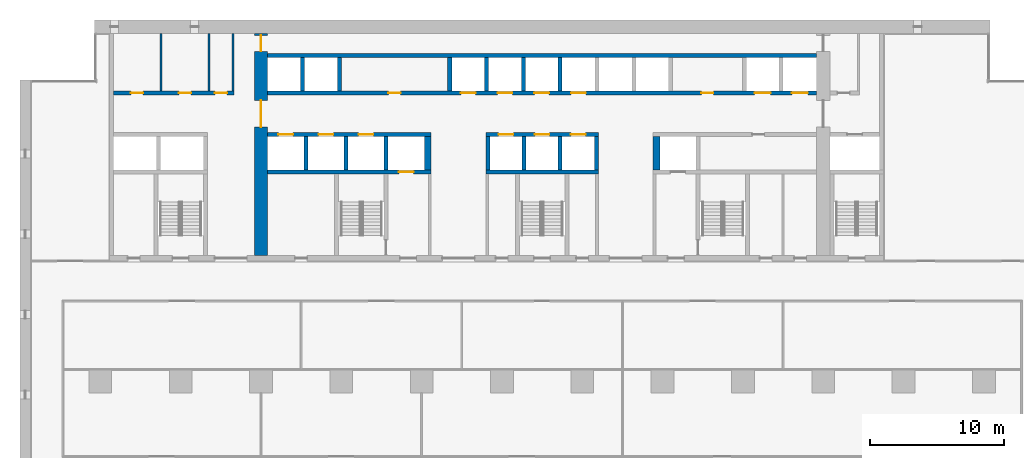
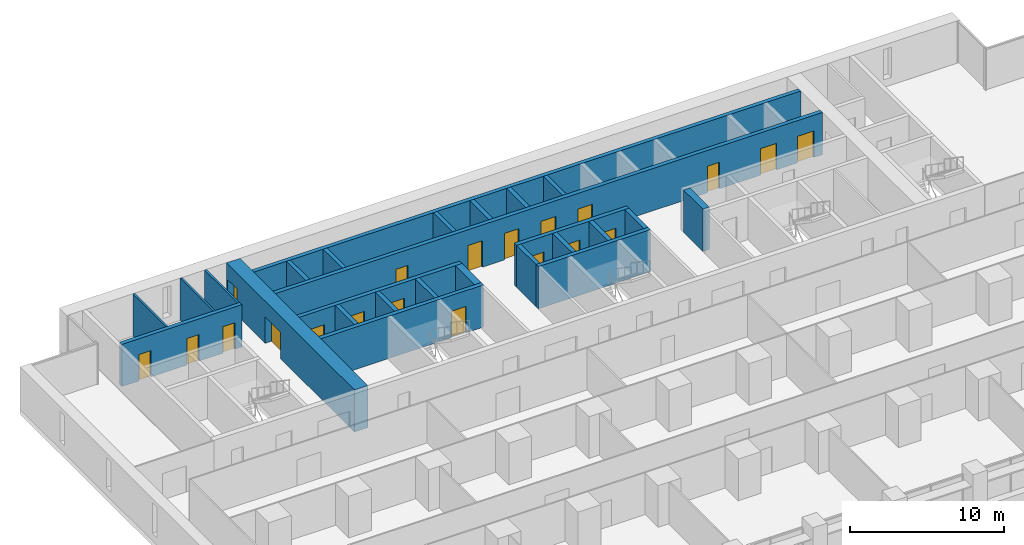
# One storey, part 11 of 18: 26 walls, 20 doors, 20 openings.
"""IFC4 building model written with IfcOpenShell, lengths in metres."""

from ifc_helpers import new_model, si_unit, direction, frame, frame_2d, origin, place, context, subcontext, project, spatial, rectangle, extrude, material, layer, layer_set, type_object, element, fill, save


model = new_model("IFC4")

# Units and contexts
model_context = context("Model", 3, precision=1e-05, world=origin(), true_north=direction((0.0, 1.0)))
body_context = subcontext(model_context, "Body", "Model", "MODEL_VIEW")
ifc_project = project(units=[si_unit("LENGTHUNIT", "METRE"), si_unit("AREAUNIT", "SQUARE_METRE"), si_unit("VOLUMEUNIT", "CUBIC_METRE"), si_unit("PLANEANGLEUNIT", "RADIAN"), si_unit("MASSUNIT", "GRAM", prefix="KILO")], contexts=[model_context])

# Site, building, storey
site_placement = place(None, origin())
site = spatial("IfcSite", under=ifc_project, at=site_placement, CompositionType="ELEMENT")
building_placement = place(site_placement, origin())
building = spatial("IfcBuilding", under=site, at=building_placement, Name="Calvaro Tower", CompositionType="ELEMENT")
storey_placement = place(building_placement, frame((0.0, 0.0, 52.5)))
storey = spatial("IfcBuildingStorey", under=building, at=storey_placement, Name="L12", CompositionType="ELEMENT", Elevation=52.5)

# Walls
ifc_material_1 = material(Name="Blockwork partition", Category="masonry")
ifc_layer_1 = layer(ifc_material_1, 0.14990234375)
ifc_layer_set_1 = layer_set([ifc_layer_1], Name="Blockwork partition")
wall_type_1 = type_object("IfcWallType", Name="Core partition 150 EI 60", PredefinedType="PARTITIONING", material=ifc_layer_set_1)
for number, where, z_axis, x_axis, name in (
    (1, (10.550048828125, 40.699951171875, 0.0), (0.0, 0.0, 1.0), (0.0, 1.0, 0.0), "Core partition"),
    (2, (14.10009765625, 40.699951171875, 0.0), (0.0, 0.0, 1.0), (0.0, 1.0, 0.0), "Core partition"),
):
    element("IfcWall", number, at=place(storey_placement, frame(where, z_axis=z_axis, x_axis=x_axis)), inside=storey, type_object=wall_type_1, Name=name, PredefinedType="PARTITIONING", context=body_context, shape_type="SweptSolid", body=[
        extrude(rectangle(XDim=4.300048828125, YDim=0.14990234375, at=frame_2d((2.14990234375, 0.0))), origin(), (0.0, 0.0, 1.0), 3.35009765625),
    ])
ifc_material_2 = material(Name="Blockwork partition", Category="masonry")
ifc_layer_2 = layer(ifc_material_2, 0.14990234375)
ifc_layer_set_2 = layer_set([ifc_layer_2], Name="Blockwork partition")
wall_type_2 = type_object("IfcWallType", Name="Core partition 150 REI 120", PredefinedType="PARTITIONING", material=ifc_layer_set_2)
wall_1_placement = place(storey_placement, frame((15.925048828125, 40.699951171875, 0.0), z_axis=(0.0, 0.0, 1.0), x_axis=(0.0, 1.0, 0.0)))
element("IfcWall", 3, at=wall_1_placement, inside=storey, type_object=wall_type_2, Name="Core partition", PredefinedType="PARTITIONING", context=body_context, shape_type="SweptSolid", body=[
    extrude(rectangle(XDim=4.300048828125, YDim=0.14990234375, at=frame_2d((2.14990234375, 0.0))), origin(), (0.0, 0.0, 1.0), 3.35009765625),
])

# Wall, openings, doors
ifc_material_3 = material(Name="Blockwork partition", Category="masonry")
ifc_layer_3 = layer(ifc_material_3, 0.300048828125)
ifc_layer_set_3 = layer_set([ifc_layer_3], Name="Blockwork partition")
wall_type_3 = type_object("IfcWallType", Name="Core partition 300 REI 120", PredefinedType="PARTITIONING", material=ifc_layer_set_3)
wall_2_placement = place(storey_placement, frame((7.0, 40.550048828125, 0.0), z_axis=(0.0, 0.0, 1.0), x_axis=(1.0, 0.0, 0.0)))
wall_2 = element("IfcWall", 4, at=wall_2_placement, inside=storey, type_object=wall_type_3, Name="Core partition", PredefinedType="PARTITIONING", context=body_context, shape_type="SweptSolid", body=[
    extrude(rectangle(XDim=9.0, YDim=0.300048828125, at=frame_2d((4.5, 0.0))), origin(), (0.0, 0.0, 1.0), 3.35009765625),
])
opening_1_placement = place(wall_2_placement, frame((1.28759765625, 0.0, 0.0)))
opening_1 = element("IfcOpeningElement", 5, at=opening_1_placement, cuts=wall_2, Name="Opening RD9", PredefinedType="OPENING", context=body_context, shape_type="SweptSolid", body=[
    extrude(rectangle(XDim=0.89990234375, YDim=2.10009765625, at=frame_2d((0.449951171875, 1.050048828125))), frame((0.0, 0.159912109375, 0.0), z_axis=(0.0, -1.0, 0.0), x_axis=(1.0, 0.0, 0.0)), (0.0, 0.0, 1.0), 0.320068359375),
])
opening_2_placement = place(wall_2_placement, frame((4.875, 0.0, 0.0)))
opening_2 = element("IfcOpeningElement", 6, at=opening_2_placement, cuts=wall_2, Name="Opening RD9", PredefinedType="OPENING", context=body_context, shape_type="SweptSolid", body=[
    extrude(rectangle(XDim=0.89990234375, YDim=2.10009765625, at=frame_2d((0.449951171875, 1.050048828125))), frame((0.0, 0.159912109375, 0.0), z_axis=(0.0, -1.0, 0.0), x_axis=(1.0, 0.0, 0.0)), (0.0, 0.0, 1.0), 0.320068359375),
])
opening_3_placement = place(wall_2_placement, frame((7.5625, 0.0, 0.0)))
opening_3 = element("IfcOpeningElement", 7, at=opening_3_placement, cuts=wall_2, Name="Opening RD9", PredefinedType="OPENING", context=body_context, shape_type="SweptSolid", body=[
    extrude(rectangle(XDim=0.89990234375, YDim=2.10009765625, at=frame_2d((0.449951171875, 1.050048828125))), frame((0.0, 0.159912109375, 0.0), z_axis=(0.0, -1.0, 0.0), x_axis=(1.0, 0.0, 0.0)), (0.0, 0.0, 1.0), 0.320068359375),
])
ifc_material_4 = material(Name="Steel door set", Category="steel")
door_type_1 = type_object("IfcDoorType", Name="Room door 900", OperationType="SINGLE_SWING_LEFT", PredefinedType="DOOR", material=ifc_material_4)
door_1_placement = place(opening_1_placement, origin())
door_1 = element("IfcDoor", 8, at=door_1_placement, inside=storey, type_object=door_type_1, Name="Room door", OperationType="SINGLE_SWING_RIGHT", OverallHeight=2.10009765625, OverallWidth=0.89990234375, PredefinedType="DOOR", context=body_context, shape_type="SweptSolid", body=[
    extrude(rectangle(XDim=0.89990234375, YDim=2.10009765625, at=frame_2d((0.449951171875, 1.050048828125))), frame((0.0, 0.02490234375, 0.0), z_axis=(0.0, -1.0, 0.0), x_axis=(1.0, 0.0, 0.0)), (0.0, 0.0, 1.0), 0.050048828125),
])
fill(opening_1, door_1)
door_2_placement = place(opening_2_placement, origin())
door_2 = element("IfcDoor", 9, at=door_2_placement, inside=storey, type_object=door_type_1, Name="Room door", OperationType="SINGLE_SWING_LEFT", OverallHeight=2.10009765625, OverallWidth=0.89990234375, PredefinedType="DOOR", context=body_context, shape_type="SweptSolid", body=[
    extrude(rectangle(XDim=0.89990234375, YDim=2.10009765625, at=frame_2d((0.449951171875, 1.050048828125))), frame((0.0, 0.02490234375, 0.0), z_axis=(0.0, -1.0, 0.0), x_axis=(1.0, 0.0, 0.0)), (0.0, 0.0, 1.0), 0.050048828125),
])
fill(opening_2, door_2)
door_3_placement = place(opening_3_placement, origin())
door_3 = element("IfcDoor", 10, at=door_3_placement, inside=storey, type_object=door_type_1, Name="Room door", OperationType="SINGLE_SWING_LEFT", OverallHeight=2.10009765625, OverallWidth=0.89990234375, PredefinedType="DOOR", context=body_context, shape_type="SweptSolid", body=[
    extrude(rectangle(XDim=0.89990234375, YDim=2.10009765625, at=frame_2d((0.449951171875, 1.050048828125))), frame((0.0, 0.02490234375, 0.0), z_axis=(0.0, -1.0, 0.0), x_axis=(1.0, 0.0, 0.0)), (0.0, 0.0, 1.0), 0.050048828125),
])
fill(opening_3, door_3)

ifc_material_5 = material(Name="Concrete C80/95", Category="concrete")
ifc_layer_4 = layer(ifc_material_5, 1.0)
ifc_layer_set_4 = layer_set([ifc_layer_4], Name="Concrete C80/95")
wall_type_4 = type_object("IfcWallType", Name="Core wall C80/95 1000", PredefinedType="SHEAR", material=ifc_layer_set_4)
wall_3_placement = place(storey_placement, frame((18.0, 28.39990234375, 0.0), z_axis=(0.0, 0.0, 1.0), x_axis=(0.0, 1.0, 0.0)))
wall_3 = element("IfcWall", 11, at=wall_3_placement, inside=storey, type_object=wall_type_4, Name="Core wall, cross shear wall", PredefinedType="SHEAR", context=body_context, shape_type="SweptSolid", body=[
    extrude(rectangle(XDim=16.60009765625, YDim=1.0, at=frame_2d((8.300048828125, 0.0))), origin(), (0.0, 0.0, 1.0), 3.35009765625),
])
opening_4_placement = place(wall_3_placement, frame((9.60009765625, 0.0, 0.0)))
opening_4 = element("IfcOpeningElement", 12, at=opening_4_placement, cuts=wall_3, Name="Opening DD20D", PredefinedType="OPENING", context=body_context, shape_type="SweptSolid", body=[
    extrude(rectangle(XDim=2.0, YDim=2.10009765625, at=frame_2d((1.0, 1.050048828125))), frame((0.0, 0.510009765625, 0.0), z_axis=(0.0, -1.0, 0.0), x_axis=(1.0, 0.0, 0.0)), (0.0, 0.0, 1.0), 1.02001953125),
])
opening_5_placement = place(wall_3_placement, frame((15.25, 0.0, 0.0)))
opening_5 = element("IfcOpeningElement", 13, at=opening_5_placement, cuts=wall_3, Name="Opening FD12C", PredefinedType="OPENING", context=body_context, shape_type="SweptSolid", body=[
    extrude(rectangle(XDim=1.199951171875, YDim=2.10009765625, at=frame_2d((0.60009765625, 1.050048828125))), frame((0.0, 0.510009765625, 0.0), z_axis=(0.0, -1.0, 0.0), x_axis=(1.0, 0.0, 0.0)), (0.0, 0.0, 1.0), 1.02001953125),
])
ifc_material_6 = material(Name="Steel door set", Category="steel")
door_type_2 = type_object("IfcDoorType", Name="Fire door 1200 FD30", OperationType="SINGLE_SWING_LEFT", PredefinedType="DOOR", material=ifc_material_6)
door_4_placement = place(opening_5_placement, origin())
door_4 = element("IfcDoor", 14, at=door_4_placement, inside=storey, type_object=door_type_2, Name="Fire door", OperationType="SINGLE_SWING_LEFT", OverallHeight=2.10009765625, OverallWidth=1.199951171875, PredefinedType="DOOR", context=body_context, shape_type="SweptSolid", body=[
    extrude(rectangle(XDim=1.199951171875, YDim=2.10009765625, at=frame_2d((0.60009765625, 1.050048828125))), frame((0.0, 0.02490234375, 0.0), z_axis=(0.0, -1.0, 0.0), x_axis=(1.0, 0.0, 0.0)), (0.0, 0.0, 1.0), 0.050048828125),
])
fill(opening_5, door_4)
ifc_material_7 = material(Name="Steel door set", Category="steel")
door_type_3 = type_object("IfcDoorType", Name="Lobby double door 2000 FD30S", OperationType="DOUBLE_DOOR_SINGLE_SWING", PredefinedType="DOOR", material=ifc_material_7)
door_5_placement = place(opening_4_placement, origin())
door_5 = element("IfcDoor", 15, at=door_5_placement, inside=storey, type_object=door_type_3, Name="Lobby double door", OperationType="DOUBLE_DOOR_SINGLE_SWING", OverallHeight=2.10009765625, OverallWidth=2.0, PredefinedType="DOOR", context=body_context, shape_type="SweptSolid", body=[
    extrude(rectangle(XDim=2.0, YDim=2.10009765625, at=frame_2d((1.0, 1.050048828125))), frame((0.0, 0.02490234375, 0.0), z_axis=(0.0, -1.0, 0.0), x_axis=(1.0, 0.0, 0.0)), (0.0, 0.0, 1.0), 0.050048828125),
])
fill(opening_4, door_5)

# Wall, opening, door
ifc_material_8 = material(Name="Concrete C80/95", Category="concrete")
ifc_layer_5 = layer(ifc_material_8, 0.300048828125)
ifc_layer_set_5 = layer_set([ifc_layer_5], Name="Concrete C80/95")
wall_type_5 = type_object("IfcWallType", Name="Core wall C80/95 300", PredefinedType="SHEAR", material=ifc_layer_set_5)
wall_4_placement = place(storey_placement, frame((18.5, 34.64990234375, 0.0), z_axis=(0.0, 0.0, 1.0), x_axis=(1.0, 0.0, 0.0)))
wall_4 = element("IfcWall", 16, at=wall_4_placement, inside=storey, type_object=wall_type_5, Name="Core wall, lift shaft", PredefinedType="SHEAR", context=body_context, shape_type="SweptSolid", body=[
    extrude(rectangle(XDim=12.199951171875, YDim=0.300048828125, at=frame_2d((6.10009765625, 0.0))), origin(), (0.0, 0.0, 1.0), 3.35009765625),
])
opening_6_placement = place(wall_4_placement, frame((9.800048828125, 0.0, 0.0)))
opening_6 = element("IfcOpeningElement", 17, at=opening_6_placement, cuts=wall_4, Name="Opening FF1", PredefinedType="OPENING", context=body_context, shape_type="SweptSolid", body=[
    extrude(rectangle(XDim=1.10009765625, YDim=2.10009765625, at=frame_2d((0.550048828125, 1.050048828125))), frame((0.0, 0.159912109375, 0.0), z_axis=(0.0, -1.0, 0.0), x_axis=(1.0, 0.0, 0.0)), (0.0, 0.0, 1.0), 0.320068359375),
])
ifc_material_9 = material(Name="Stainless steel", Category="steel")
door_type_4 = type_object("IfcDoorType", Name="Landing door 1100 E 60", OperationType="SLIDING_TO_LEFT", PredefinedType="DOOR", material=ifc_material_9)
door_6_placement = place(opening_6_placement, origin())
door_6 = element("IfcDoor", 18, at=door_6_placement, inside=storey, type_object=door_type_4, Name="Landing door FF1", OperationType="SLIDING_TO_LEFT", OverallHeight=2.10009765625, OverallWidth=1.10009765625, PredefinedType="DOOR", context=body_context, shape_type="SweptSolid", body=[
    extrude(rectangle(XDim=1.10009765625, YDim=2.10009765625, at=frame_2d((0.550048828125, 1.050048828125))), frame((0.0, 0.02490234375, 0.0), z_axis=(0.0, -1.0, 0.0), x_axis=(1.0, 0.0, 0.0)), (0.0, 0.0, 1.0), 0.050048828125),
])
fill(opening_6, door_6)

# Wall
wall_5_placement = place(storey_placement, frame((34.800048828125, 34.64990234375, 0.0), z_axis=(0.0, 0.0, 1.0), x_axis=(1.0, 0.0, 0.0)))
element("IfcWall", 19, at=wall_5_placement, inside=storey, type_object=wall_type_5, Name="Core wall, lift shaft", PredefinedType="SHEAR", context=body_context, shape_type="SweptSolid", body=[
    extrude(rectangle(XDim=8.39990234375, YDim=0.300048828125, at=frame_2d((4.199951171875, 0.0))), origin(), (0.0, 0.0, 1.0), 3.35009765625),
])

# Wall, openings, doors
wall_6_placement = place(storey_placement, frame((18.5, 37.449951171875, 0.0), z_axis=(0.0, 0.0, 1.0), x_axis=(1.0, 0.0, 0.0)))
wall_6 = element("IfcWall", 20, at=wall_6_placement, inside=storey, type_object=wall_type_5, Name="Core wall, lift shaft", PredefinedType="SHEAR", context=body_context, shape_type="SweptSolid", body=[
    extrude(rectangle(XDim=12.199951171875, YDim=0.300048828125, at=frame_2d((6.10009765625, 0.0))), origin(), (0.0, 0.0, 1.0), 3.35009765625),
])
opening_7_placement = place(wall_6_placement, frame((0.800048828125, 0.0, 0.0)))
opening_7 = element("IfcOpeningElement", 21, at=opening_7_placement, cuts=wall_6, Name="Opening LR1", PredefinedType="OPENING", context=body_context, shape_type="SweptSolid", body=[
    extrude(rectangle(XDim=1.10009765625, YDim=2.10009765625, at=frame_2d((0.550048828125, 1.050048828125))), frame((0.0, 0.159912109375, 0.0), z_axis=(0.0, -1.0, 0.0), x_axis=(1.0, 0.0, 0.0)), (0.0, 0.0, 1.0), 0.320068359375),
])
opening_8_placement = place(wall_6_placement, frame((3.800048828125, 0.0, 0.0)))
opening_8 = element("IfcOpeningElement", 22, at=opening_8_placement, cuts=wall_6, Name="Opening LR2", PredefinedType="OPENING", context=body_context, shape_type="SweptSolid", body=[
    extrude(rectangle(XDim=1.10009765625, YDim=2.10009765625, at=frame_2d((0.550048828125, 1.050048828125))), frame((0.0, 0.159912109375, 0.0), z_axis=(0.0, -1.0, 0.0), x_axis=(1.0, 0.0, 0.0)), (0.0, 0.0, 1.0), 0.320068359375),
])
opening_9_placement = place(wall_6_placement, frame((6.800048828125, 0.0, 0.0)))
opening_9 = element("IfcOpeningElement", 23, at=opening_9_placement, cuts=wall_6, Name="Opening LR3", PredefinedType="OPENING", context=body_context, shape_type="SweptSolid", body=[
    extrude(rectangle(XDim=1.10009765625, YDim=2.10009765625, at=frame_2d((0.550048828125, 1.050048828125))), frame((0.0, 0.159912109375, 0.0), z_axis=(0.0, -1.0, 0.0), x_axis=(1.0, 0.0, 0.0)), (0.0, 0.0, 1.0), 0.320068359375),
])
door_7_placement = place(opening_7_placement, origin())
door_7 = element("IfcDoor", 24, at=door_7_placement, inside=storey, type_object=door_type_4, Name="Landing door LR1", OperationType="SLIDING_TO_LEFT", OverallHeight=2.10009765625, OverallWidth=1.10009765625, PredefinedType="DOOR", context=body_context, shape_type="SweptSolid", body=[
    extrude(rectangle(XDim=1.10009765625, YDim=2.10009765625, at=frame_2d((0.550048828125, 1.050048828125))), frame((0.0, 0.02490234375, 0.0), z_axis=(0.0, -1.0, 0.0), x_axis=(1.0, 0.0, 0.0)), (0.0, 0.0, 1.0), 0.050048828125),
])
fill(opening_7, door_7)
door_8_placement = place(opening_8_placement, origin())
door_8 = element("IfcDoor", 25, at=door_8_placement, inside=storey, type_object=door_type_4, Name="Landing door LR2", OperationType="SLIDING_TO_LEFT", OverallHeight=2.10009765625, OverallWidth=1.10009765625, PredefinedType="DOOR", context=body_context, shape_type="SweptSolid", body=[
    extrude(rectangle(XDim=1.10009765625, YDim=2.10009765625, at=frame_2d((0.550048828125, 1.050048828125))), frame((0.0, 0.02490234375, 0.0), z_axis=(0.0, -1.0, 0.0), x_axis=(1.0, 0.0, 0.0)), (0.0, 0.0, 1.0), 0.050048828125),
])
fill(opening_8, door_8)
door_9_placement = place(opening_9_placement, origin())
door_9 = element("IfcDoor", 26, at=door_9_placement, inside=storey, type_object=door_type_4, Name="Landing door LR3", OperationType="SLIDING_TO_LEFT", OverallHeight=2.10009765625, OverallWidth=1.10009765625, PredefinedType="DOOR", context=body_context, shape_type="SweptSolid", body=[
    extrude(rectangle(XDim=1.10009765625, YDim=2.10009765625, at=frame_2d((0.550048828125, 1.050048828125))), frame((0.0, 0.02490234375, 0.0), z_axis=(0.0, -1.0, 0.0), x_axis=(1.0, 0.0, 0.0)), (0.0, 0.0, 1.0), 0.050048828125),
])
fill(opening_9, door_9)

wall_7_placement = place(storey_placement, frame((34.800048828125, 37.449951171875, 0.0), z_axis=(0.0, 0.0, 1.0), x_axis=(1.0, 0.0, 0.0)))
wall_7 = element("IfcWall", 27, at=wall_7_placement, inside=storey, type_object=wall_type_5, Name="Core wall, lift shaft", PredefinedType="SHEAR", context=body_context, shape_type="SweptSolid", body=[
    extrude(rectangle(XDim=8.39990234375, YDim=0.300048828125, at=frame_2d((4.199951171875, 0.0))), origin(), (0.0, 0.0, 1.0), 3.35009765625),
])
opening_10_placement = place(wall_7_placement, frame((0.949951171875, 0.0, 0.0)))
opening_10 = element("IfcOpeningElement", 28, at=opening_10_placement, cuts=wall_7, Name="Opening LR4", PredefinedType="OPENING", context=body_context, shape_type="SweptSolid", body=[
    extrude(rectangle(XDim=1.10009765625, YDim=2.10009765625, at=frame_2d((0.550048828125, 1.050048828125))), frame((0.0, 0.159912109375, 0.0), z_axis=(0.0, -1.0, 0.0), x_axis=(1.0, 0.0, 0.0)), (0.0, 0.0, 1.0), 0.320068359375),
])
opening_11_placement = place(wall_7_placement, frame((3.64990234375, 0.0, 0.0)))
opening_11 = element("IfcOpeningElement", 29, at=opening_11_placement, cuts=wall_7, Name="Opening LR5", PredefinedType="OPENING", context=body_context, shape_type="SweptSolid", body=[
    extrude(rectangle(XDim=1.10009765625, YDim=2.10009765625, at=frame_2d((0.550048828125, 1.050048828125))), frame((0.0, 0.159912109375, 0.0), z_axis=(0.0, -1.0, 0.0), x_axis=(1.0, 0.0, 0.0)), (0.0, 0.0, 1.0), 0.320068359375),
])
opening_12_placement = place(wall_7_placement, frame((6.35009765625, 0.0, 0.0)))
opening_12 = element("IfcOpeningElement", 30, at=opening_12_placement, cuts=wall_7, Name="Opening LR6", PredefinedType="OPENING", context=body_context, shape_type="SweptSolid", body=[
    extrude(rectangle(XDim=1.10009765625, YDim=2.10009765625, at=frame_2d((0.550048828125, 1.050048828125))), frame((0.0, 0.159912109375, 0.0), z_axis=(0.0, -1.0, 0.0), x_axis=(1.0, 0.0, 0.0)), (0.0, 0.0, 1.0), 0.320068359375),
])
door_10_placement = place(opening_10_placement, origin())
door_10 = element("IfcDoor", 31, at=door_10_placement, inside=storey, type_object=door_type_4, Name="Landing door LR4", OperationType="SLIDING_TO_LEFT", OverallHeight=2.10009765625, OverallWidth=1.10009765625, PredefinedType="DOOR", context=body_context, shape_type="SweptSolid", body=[
    extrude(rectangle(XDim=1.10009765625, YDim=2.10009765625, at=frame_2d((0.550048828125, 1.050048828125))), frame((0.0, 0.02490234375, 0.0), z_axis=(0.0, -1.0, 0.0), x_axis=(1.0, 0.0, 0.0)), (0.0, 0.0, 1.0), 0.050048828125),
])
fill(opening_10, door_10)
door_11_placement = place(opening_11_placement, origin())
door_11 = element("IfcDoor", 32, at=door_11_placement, inside=storey, type_object=door_type_4, Name="Landing door LR5", OperationType="SLIDING_TO_LEFT", OverallHeight=2.10009765625, OverallWidth=1.10009765625, PredefinedType="DOOR", context=body_context, shape_type="SweptSolid", body=[
    extrude(rectangle(XDim=1.10009765625, YDim=2.10009765625, at=frame_2d((0.550048828125, 1.050048828125))), frame((0.0, 0.02490234375, 0.0), z_axis=(0.0, -1.0, 0.0), x_axis=(1.0, 0.0, 0.0)), (0.0, 0.0, 1.0), 0.050048828125),
])
fill(opening_11, door_11)
door_12_placement = place(opening_12_placement, origin())
door_12 = element("IfcDoor", 33, at=door_12_placement, inside=storey, type_object=door_type_4, Name="Landing door LR6", OperationType="SLIDING_TO_LEFT", OverallHeight=2.10009765625, OverallWidth=1.10009765625, PredefinedType="DOOR", context=body_context, shape_type="SweptSolid", body=[
    extrude(rectangle(XDim=1.10009765625, YDim=2.10009765625, at=frame_2d((0.550048828125, 1.050048828125))), frame((0.0, 0.02490234375, 0.0), z_axis=(0.0, -1.0, 0.0), x_axis=(1.0, 0.0, 0.0)), (0.0, 0.0, 1.0), 0.050048828125),
])
fill(opening_12, door_12)

# Walls
for number, where, z_axis, x_axis, name in (
    (34, (27.35009765625, 34.800048828125, 0.0), (0.0, 0.0, 1.0), (0.0, 1.0, 0.0), "Core wall, lift shaft"),
    (35, (34.949951171875, 34.800048828125, 0.0), (0.0, 0.0, 1.0), (0.0, 1.0, 0.0), "Core wall, lift shaft"),
    (36, (43.050048828125, 34.800048828125, 0.0), (0.0, 0.0, 1.0), (0.0, 1.0, 0.0), "Core wall, lift shaft"),
):
    element("IfcWall", number, at=place(storey_placement, frame(where, z_axis=z_axis, x_axis=x_axis)), inside=storey, type_object=wall_type_5, Name=name, PredefinedType="SHEAR", context=body_context, shape_type="SweptSolid", body=[
        extrude(rectangle(XDim=2.5, YDim=0.300048828125, at=frame_2d((1.25, 0.0))), origin(), (0.0, 0.0, 1.0), 3.35009765625),
    ])

# Wall, openings, doors
wall_8_placement = place(storey_placement, frame((18.5, 40.550048828125, 0.0), z_axis=(0.0, 0.0, 1.0), x_axis=(1.0, 0.0, 0.0)))
wall_8 = element("IfcWall", 37, at=wall_8_placement, inside=storey, type_object=wall_type_5, Name="Core wall, bay", PredefinedType="SHEAR", context=body_context, shape_type="SweptSolid", body=[
    extrude(rectangle(XDim=41.0, YDim=0.300048828125, at=frame_2d((20.5, 0.0))), origin(), (0.0, 0.0, 1.0), 3.35009765625),
])
opening_13_placement = place(wall_8_placement, frame((9.02490234375, 0.0, 0.0)))
opening_13 = element("IfcOpeningElement", 38, at=opening_13_placement, cuts=wall_8, Name="Opening RD9C", PredefinedType="OPENING", context=body_context, shape_type="SweptSolid", body=[
    extrude(rectangle(XDim=0.89990234375, YDim=2.10009765625, at=frame_2d((0.449951171875, 1.050048828125))), frame((0.0, 0.159912109375, 0.0), z_axis=(0.0, -1.0, 0.0), x_axis=(1.0, 0.0, 0.0)), (0.0, 0.0, 1.0), 0.320068359375),
])
opening_14_placement = place(wall_8_placement, frame((32.39990234375, 0.0, 0.0)))
opening_14 = element("IfcOpeningElement", 39, at=opening_14_placement, cuts=wall_8, Name="Opening RD9C", PredefinedType="OPENING", context=body_context, shape_type="SweptSolid", body=[
    extrude(rectangle(XDim=0.89990234375, YDim=2.10009765625, at=frame_2d((0.449951171875, 1.050048828125))), frame((0.0, 0.159912109375, 0.0), z_axis=(0.0, -1.0, 0.0), x_axis=(1.0, 0.0, 0.0)), (0.0, 0.0, 1.0), 0.320068359375),
])
opening_15_placement = place(wall_8_placement, frame((14.425048828125, 0.0, 0.0)))
opening_15 = element("IfcOpeningElement", 40, at=opening_15_placement, cuts=wall_8, Name="Opening LR7", PredefinedType="OPENING", context=body_context, shape_type="SweptSolid", body=[
    extrude(rectangle(XDim=1.10009765625, YDim=2.10009765625, at=frame_2d((0.550048828125, 1.050048828125))), frame((0.0, 0.159912109375, 0.0), z_axis=(0.0, -1.0, 0.0), x_axis=(1.0, 0.0, 0.0)), (0.0, 0.0, 1.0), 0.320068359375),
])
opening_16_placement = place(wall_8_placement, frame((17.175048828125, 0.0, 0.0)))
opening_16 = element("IfcOpeningElement", 41, at=opening_16_placement, cuts=wall_8, Name="Opening LR8", PredefinedType="OPENING", context=body_context, shape_type="SweptSolid", body=[
    extrude(rectangle(XDim=1.10009765625, YDim=2.10009765625, at=frame_2d((0.550048828125, 1.050048828125))), frame((0.0, 0.159912109375, 0.0), z_axis=(0.0, -1.0, 0.0), x_axis=(1.0, 0.0, 0.0)), (0.0, 0.0, 1.0), 0.320068359375),
])
opening_17_placement = place(wall_8_placement, frame((19.925048828125, 0.0, 0.0)))
opening_17 = element("IfcOpeningElement", 42, at=opening_17_placement, cuts=wall_8, Name="Opening LR9", PredefinedType="OPENING", context=body_context, shape_type="SweptSolid", body=[
    extrude(rectangle(XDim=1.10009765625, YDim=2.10009765625, at=frame_2d((0.550048828125, 1.050048828125))), frame((0.0, 0.159912109375, 0.0), z_axis=(0.0, -1.0, 0.0), x_axis=(1.0, 0.0, 0.0)), (0.0, 0.0, 1.0), 0.320068359375),
])
opening_18_placement = place(wall_8_placement, frame((22.675048828125, 0.0, 0.0)))
opening_18 = element("IfcOpeningElement", 43, at=opening_18_placement, cuts=wall_8, Name="Opening LR10", PredefinedType="OPENING", context=body_context, shape_type="SweptSolid", body=[
    extrude(rectangle(XDim=1.10009765625, YDim=2.10009765625, at=frame_2d((0.550048828125, 1.050048828125))), frame((0.0, 0.159912109375, 0.0), z_axis=(0.0, -1.0, 0.0), x_axis=(1.0, 0.0, 0.0)), (0.0, 0.0, 1.0), 0.320068359375),
])
opening_19_placement = place(wall_8_placement, frame((36.375, 0.0, 0.0)))
opening_19 = element("IfcOpeningElement", 44, at=opening_19_placement, cuts=wall_8, Name="Opening SV1", PredefinedType="OPENING", context=body_context, shape_type="SweptSolid", body=[
    extrude(rectangle(XDim=1.199951171875, YDim=2.10009765625, at=frame_2d((0.60009765625, 1.050048828125))), frame((0.0, 0.159912109375, 0.0), z_axis=(0.0, -1.0, 0.0), x_axis=(1.0, 0.0, 0.0)), (0.0, 0.0, 1.0), 0.320068359375),
])
opening_20_placement = place(wall_8_placement, frame((39.14990234375, 0.0, 0.0)))
opening_20 = element("IfcOpeningElement", 45, at=opening_20_placement, cuts=wall_8, Name="Opening SV2", PredefinedType="OPENING", context=body_context, shape_type="SweptSolid", body=[
    extrude(rectangle(XDim=1.199951171875, YDim=2.10009765625, at=frame_2d((0.60009765625, 1.050048828125))), frame((0.0, 0.159912109375, 0.0), z_axis=(0.0, -1.0, 0.0), x_axis=(1.0, 0.0, 0.0)), (0.0, 0.0, 1.0), 0.320068359375),
])
door_13_placement = place(opening_15_placement, origin())
door_13 = element("IfcDoor", 46, at=door_13_placement, inside=storey, type_object=door_type_4, Name="Landing door LR7", OperationType="SLIDING_TO_LEFT", OverallHeight=2.10009765625, OverallWidth=1.10009765625, PredefinedType="DOOR", context=body_context, shape_type="SweptSolid", body=[
    extrude(rectangle(XDim=1.10009765625, YDim=2.10009765625, at=frame_2d((0.550048828125, 1.050048828125))), frame((0.0, 0.02490234375, 0.0), z_axis=(0.0, -1.0, 0.0), x_axis=(1.0, 0.0, 0.0)), (0.0, 0.0, 1.0), 0.050048828125),
])
fill(opening_15, door_13)
door_14_placement = place(opening_16_placement, origin())
door_14 = element("IfcDoor", 47, at=door_14_placement, inside=storey, type_object=door_type_4, Name="Landing door LR8", OperationType="SLIDING_TO_LEFT", OverallHeight=2.10009765625, OverallWidth=1.10009765625, PredefinedType="DOOR", context=body_context, shape_type="SweptSolid", body=[
    extrude(rectangle(XDim=1.10009765625, YDim=2.10009765625, at=frame_2d((0.550048828125, 1.050048828125))), frame((0.0, 0.02490234375, 0.0), z_axis=(0.0, -1.0, 0.0), x_axis=(1.0, 0.0, 0.0)), (0.0, 0.0, 1.0), 0.050048828125),
])
fill(opening_16, door_14)
door_15_placement = place(opening_17_placement, origin())
door_15 = element("IfcDoor", 48, at=door_15_placement, inside=storey, type_object=door_type_4, Name="Landing door LR9", OperationType="SLIDING_TO_LEFT", OverallHeight=2.10009765625, OverallWidth=1.10009765625, PredefinedType="DOOR", context=body_context, shape_type="SweptSolid", body=[
    extrude(rectangle(XDim=1.10009765625, YDim=2.10009765625, at=frame_2d((0.550048828125, 1.050048828125))), frame((0.0, 0.02490234375, 0.0), z_axis=(0.0, -1.0, 0.0), x_axis=(1.0, 0.0, 0.0)), (0.0, 0.0, 1.0), 0.050048828125),
])
fill(opening_17, door_15)
door_16_placement = place(opening_18_placement, origin())
door_16 = element("IfcDoor", 49, at=door_16_placement, inside=storey, type_object=door_type_4, Name="Landing door LR10", OperationType="SLIDING_TO_LEFT", OverallHeight=2.10009765625, OverallWidth=1.10009765625, PredefinedType="DOOR", context=body_context, shape_type="SweptSolid", body=[
    extrude(rectangle(XDim=1.10009765625, YDim=2.10009765625, at=frame_2d((0.550048828125, 1.050048828125))), frame((0.0, 0.02490234375, 0.0), z_axis=(0.0, -1.0, 0.0), x_axis=(1.0, 0.0, 0.0)), (0.0, 0.0, 1.0), 0.050048828125),
])
fill(opening_18, door_16)
ifc_material_10 = material(Name="Stainless steel", Category="steel")
door_type_5 = type_object("IfcDoorType", Name="Landing door 1200 E 60", OperationType="SLIDING_TO_LEFT", PredefinedType="DOOR", material=ifc_material_10)
door_17_placement = place(opening_19_placement, origin())
door_17 = element("IfcDoor", 50, at=door_17_placement, inside=storey, type_object=door_type_5, Name="Landing door SV1", OperationType="SLIDING_TO_LEFT", OverallHeight=2.10009765625, OverallWidth=1.199951171875, PredefinedType="DOOR", context=body_context, shape_type="SweptSolid", body=[
    extrude(rectangle(XDim=1.199951171875, YDim=2.10009765625, at=frame_2d((0.60009765625, 1.050048828125))), frame((0.0, 0.02490234375, 0.0), z_axis=(0.0, -1.0, 0.0), x_axis=(1.0, 0.0, 0.0)), (0.0, 0.0, 1.0), 0.050048828125),
])
fill(opening_19, door_17)
door_18_placement = place(opening_20_placement, origin())
door_18 = element("IfcDoor", 51, at=door_18_placement, inside=storey, type_object=door_type_5, Name="Landing door SV2", OperationType="SLIDING_TO_LEFT", OverallHeight=2.10009765625, OverallWidth=1.199951171875, PredefinedType="DOOR", context=body_context, shape_type="SweptSolid", body=[
    extrude(rectangle(XDim=1.199951171875, YDim=2.10009765625, at=frame_2d((0.60009765625, 1.050048828125))), frame((0.0, 0.02490234375, 0.0), z_axis=(0.0, -1.0, 0.0), x_axis=(1.0, 0.0, 0.0)), (0.0, 0.0, 1.0), 0.050048828125),
])
fill(opening_20, door_18)
ifc_material_11 = material(Name="Steel door set", Category="steel")
door_type_6 = type_object("IfcDoorType", Name="Room door 900 FD30", OperationType="SINGLE_SWING_LEFT", PredefinedType="DOOR", material=ifc_material_11)
door_19_placement = place(opening_13_placement, origin())
door_19 = element("IfcDoor", 52, at=door_19_placement, inside=storey, type_object=door_type_6, Name="Room door", OperationType="SINGLE_SWING_RIGHT", OverallHeight=2.10009765625, OverallWidth=0.89990234375, PredefinedType="DOOR", context=body_context, shape_type="SweptSolid", body=[
    extrude(rectangle(XDim=0.89990234375, YDim=2.10009765625, at=frame_2d((0.449951171875, 1.050048828125))), frame((0.0, 0.02490234375, 0.0), z_axis=(0.0, -1.0, 0.0), x_axis=(1.0, 0.0, 0.0)), (0.0, 0.0, 1.0), 0.050048828125),
])
fill(opening_13, door_19)
door_20_placement = place(opening_14_placement, origin())
door_20 = element("IfcDoor", 53, at=door_20_placement, inside=storey, type_object=door_type_6, Name="Room door", OperationType="SINGLE_SWING_LEFT", OverallHeight=2.10009765625, OverallWidth=0.89990234375, PredefinedType="DOOR", context=body_context, shape_type="SweptSolid", body=[
    extrude(rectangle(XDim=0.89990234375, YDim=2.10009765625, at=frame_2d((0.449951171875, 1.050048828125))), frame((0.0, 0.02490234375, 0.0), z_axis=(0.0, -1.0, 0.0), x_axis=(1.0, 0.0, 0.0)), (0.0, 0.0, 1.0), 0.050048828125),
])
fill(opening_14, door_20)

# Walls
wall_9_placement = place(storey_placement, frame((18.5, 43.35009765625, 0.0), z_axis=(0.0, 0.0, 1.0), x_axis=(1.0, 0.0, 0.0)))
element("IfcWall", 54, at=wall_9_placement, inside=storey, type_object=wall_type_5, Name="Core wall, lift shaft", PredefinedType="SHEAR", context=body_context, shape_type="SweptSolid", body=[
    extrude(rectangle(XDim=41.0, YDim=0.300048828125, at=frame_2d((20.5, 0.0))), origin(), (0.0, 0.0, 1.0), 3.35009765625),
])
for number, where, z_axis, x_axis, name in (
    (55, (21.35009765625, 34.800048828125, 0.0), (0.0, 0.0, 1.0), (0.0, 1.0, 0.0), "Core wall, lift shaft"),
    (56, (24.35009765625, 34.800048828125, 0.0), (0.0, 0.0, 1.0), (0.0, 1.0, 0.0), "Core wall, lift shaft"),
    (57, (37.64990234375, 34.800048828125, 0.0), (0.0, 0.0, 1.0), (0.0, 1.0, 0.0), "Core wall, lift shaft"),
    (58, (40.35009765625, 34.800048828125, 0.0), (0.0, 0.0, 1.0), (0.0, 1.0, 0.0), "Core wall, lift shaft"),
    (59, (21.10009765625, 40.699951171875, 0.0), (0.0, 0.0, 1.0), (0.0, 1.0, 0.0), "Core wall, lift shaft"),
    (60, (23.85009765625, 40.699951171875, 0.0), (0.0, 0.0, 1.0), (0.0, 1.0, 0.0), "Core wall, lift shaft"),
    (61, (32.10009765625, 40.699951171875, 0.0), (0.0, 0.0, 1.0), (0.0, 1.0, 0.0), "Core wall, lift shaft"),
    (62, (34.85009765625, 40.699951171875, 0.0), (0.0, 0.0, 1.0), (0.0, 1.0, 0.0), "Core wall, lift shaft"),
    (63, (37.60009765625, 40.699951171875, 0.0), (0.0, 0.0, 1.0), (0.0, 1.0, 0.0), "Core wall, lift shaft"),
    (64, (40.35009765625, 40.699951171875, 0.0), (0.0, 0.0, 1.0), (0.0, 1.0, 0.0), "Core wall, lift shaft"),
):
    element("IfcWall", number, at=place(storey_placement, frame(where, z_axis=z_axis, x_axis=x_axis)), inside=storey, type_object=wall_type_5, Name=name, PredefinedType="SHEAR", context=body_context, shape_type="SweptSolid", body=[
        extrude(rectangle(XDim=2.5, YDim=0.300048828125, at=frame_2d((1.25, 0.0))), origin(), (0.0, 0.0, 1.0), 3.35009765625),
    ])
ifc_material_12 = material(Name="Concrete C80/95", Category="concrete")
ifc_layer_6 = layer(ifc_material_12, 0.5)
ifc_layer_set_6 = layer_set([ifc_layer_6], Name="Concrete C80/95")
wall_type_6 = type_object("IfcWallType", Name="Core wall C80/95 500", PredefinedType="SHEAR", material=ifc_layer_set_6)
for number, where, z_axis, x_axis, name in (
    (65, (30.449951171875, 34.800048828125, 0.0), (0.0, 0.0, 1.0), (0.0, 1.0, 0.0), "Core wall, lift shaft"),
    (66, (47.550048828125, 34.800048828125, 0.0), (0.0, 0.0, 1.0), (0.0, 1.0, 0.0), "Core wall, lift shaft"),
):
    element("IfcWall", number, at=place(storey_placement, frame(where, z_axis=z_axis, x_axis=x_axis)), inside=storey, type_object=wall_type_6, Name=name, PredefinedType="SHEAR", context=body_context, shape_type="SweptSolid", body=[
        extrude(rectangle(XDim=2.5, YDim=0.5, at=frame_2d((1.25, 0.0))), origin(), (0.0, 0.0, 1.0), 3.35009765625),
    ])

save(model, "model.ifc")
